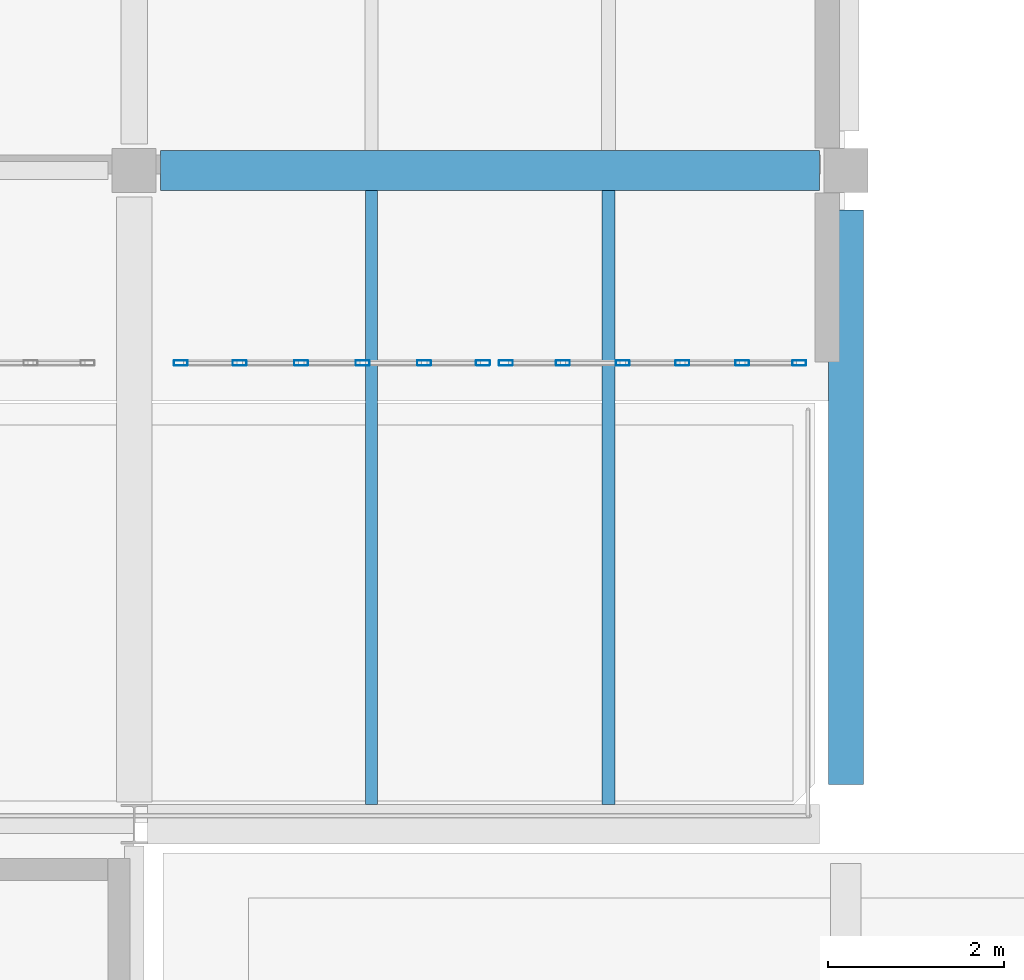
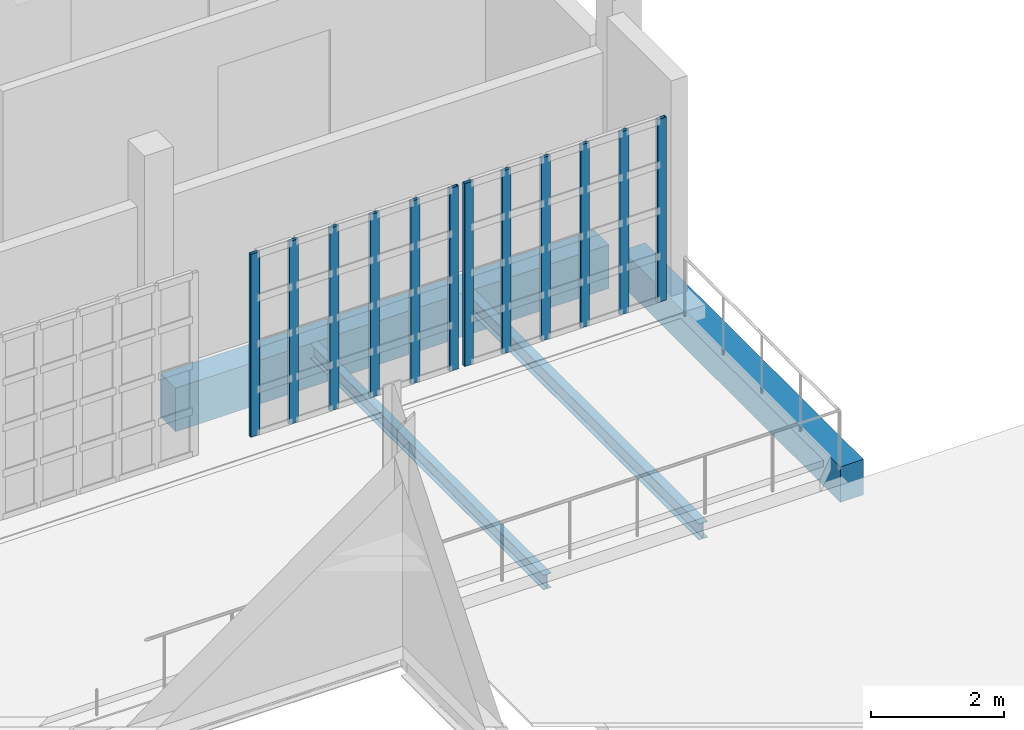
# One storey, part 9 of 25: 12 members, 4 beams, 2 elements without a shape of their own.
"""IFC4 building model written with IfcOpenShell, lengths in metres."""

from ifc_helpers import new_model, si_unit, direction, frame, origin, origin_2d, place, context, subcontext, project, spatial, rectangle, hollow_rectangle, i_section, extrude, material, material_profile, profile_set, type_object, element, aggregate, save


model = new_model("IFC4")

# Units and contexts
model_context = context("Model", 3, precision=1e-05, world=origin(), true_north=direction((0.0, 1.0)))
body_context = subcontext(model_context, "Body", "Model", "MODEL_VIEW")
ifc_project = project(units=[si_unit("LENGTHUNIT", "METRE"), si_unit("AREAUNIT", "SQUARE_METRE"), si_unit("VOLUMEUNIT", "CUBIC_METRE"), si_unit("PLANEANGLEUNIT", "RADIAN"), si_unit("MASSUNIT", "GRAM", prefix="KILO")], contexts=[model_context])

# Site, building, storey
site_placement = place(None, origin())
site = spatial("IfcSite", under=ifc_project, at=site_placement, CompositionType="ELEMENT")
building_placement = place(site_placement, origin())
building = spatial("IfcBuilding", under=site, at=building_placement, Name="Kaelora Sail Theatre", CompositionType="ELEMENT")
storey_placement = place(building_placement, frame((0.0, 0.0, 19.199951171875)))
storey = spatial("IfcBuildingStorey", under=building, at=storey_placement, Name="L04", CompositionType="ELEMENT", Elevation=19.199951171875)

# Curtain wall, members
ifc_material_1 = material(Name="Anodised aluminium and solar-control low-E IGU", Category="aluminium")
curtain_wall_type = type_object("IfcCurtainWallType", Name="ARC-CW-CW-CLR", PredefinedType="NOTDEFINED", material=ifc_material_1)
curtain_wall_1_placement = place(storey_placement, origin())
curtain_wall_1 = element("IfcCurtainWall", 1, at=curtain_wall_1_placement, inside=storey, type_object=curtain_wall_type, Name="Glazed Foyer/Conservatory Curtain Wall NW2-S-L04-06", PredefinedType="NOTDEFINED")
ifc_material_2 = material(Name="Anodised aluminium 6063-T6", Category="aluminium")
ifc_material_profile_1 = material_profile(ifc_material_2, hollow_rectangle(XDim=0.06005859375, YDim=0.159912109375, WallThickness=0.00390625, InnerFilletRadius=0.00390625, OuterFilletRadius=0.008056640625, at=origin_2d()), Name="ALU-MULL 60x160x4")
ifc_profile_set_1 = profile_set([ifc_material_profile_1], Name="Anodised aluminium 6063-T6")
member_type = type_object("IfcMemberType", Name="ARC-MEM-ML-160", PredefinedType="MULLION", material=ifc_profile_set_1)
member_1_placement = place(storey_placement, frame((58.72998046875, 88.590087890625, 0.0), z_axis=(0.0, 0.0, 1.0), x_axis=(0.0, 1.0, 0.0)))
member_1 = element("IfcMember", 2, at=member_1_placement, type_object=member_type, Name="CW-CLR mullion 1", PredefinedType="MULLION", context=body_context, shape_type="SweptSolid", body=[
    extrude(hollow_rectangle(XDim=0.06005859375, YDim=0.159912109375, WallThickness=0.00390625, InnerFilletRadius=0.00390625, OuterFilletRadius=0.008056640625, at=origin_2d()), origin(), (0.0, 0.0, 1.0), 3.34716796875),
])
member_2_placement = place(storey_placement, frame((59.39990234375, 88.590087890625, 0.0), z_axis=(0.0, 0.0, 1.0), x_axis=(0.0, 1.0, 0.0)))
member_2 = element("IfcMember", 3, at=member_2_placement, type_object=member_type, Name="CW-CLR mullion 2", PredefinedType="MULLION", context=body_context, shape_type="SweptSolid", body=[
    extrude(hollow_rectangle(XDim=0.06005859375, YDim=0.159912109375, WallThickness=0.00390625, InnerFilletRadius=0.00390625, OuterFilletRadius=0.008056640625, at=origin_2d()), origin(), (0.0, 0.0, 1.0), 3.34716796875),
])
member_3_placement = place(storey_placement, frame((60.10009765625, 88.590087890625, 0.0), z_axis=(0.0, 0.0, 1.0), x_axis=(0.0, 1.0, 0.0)))
member_3 = element("IfcMember", 4, at=member_3_placement, type_object=member_type, Name="CW-CLR mullion 3", PredefinedType="MULLION", context=body_context, shape_type="SweptSolid", body=[
    extrude(hollow_rectangle(XDim=0.06005859375, YDim=0.159912109375, WallThickness=0.00390625, InnerFilletRadius=0.00390625, OuterFilletRadius=0.008056640625, at=origin_2d()), origin(), (0.0, 0.0, 1.0), 3.34716796875),
])
member_4_placement = place(storey_placement, frame((60.800048828125, 88.590087890625, 0.0), z_axis=(0.0, 0.0, 1.0), x_axis=(0.0, 1.0, 0.0)))
member_4 = element("IfcMember", 5, at=member_4_placement, type_object=member_type, Name="CW-CLR mullion 4", PredefinedType="MULLION", context=body_context, shape_type="SweptSolid", body=[
    extrude(hollow_rectangle(XDim=0.06005859375, YDim=0.159912109375, WallThickness=0.00390625, InnerFilletRadius=0.00390625, OuterFilletRadius=0.008056640625, at=origin_2d()), origin(), (0.0, 0.0, 1.0), 3.34716796875),
])
member_5_placement = place(storey_placement, frame((61.5, 88.590087890625, 0.0), z_axis=(0.0, 0.0, 1.0), x_axis=(0.0, 1.0, 0.0)))
member_5 = element("IfcMember", 6, at=member_5_placement, type_object=member_type, Name="CW-CLR mullion 5", PredefinedType="MULLION", context=body_context, shape_type="SweptSolid", body=[
    extrude(hollow_rectangle(XDim=0.06005859375, YDim=0.159912109375, WallThickness=0.00390625, InnerFilletRadius=0.00390625, OuterFilletRadius=0.008056640625, at=origin_2d()), origin(), (0.0, 0.0, 1.0), 3.34716796875),
])
member_6_placement = place(storey_placement, frame((62.169921875, 88.590087890625, 0.0), z_axis=(0.0, 0.0, 1.0), x_axis=(0.0, 1.0, 0.0)))
member_6 = element("IfcMember", 7, at=member_6_placement, type_object=member_type, Name="CW-CLR mullion 6", PredefinedType="MULLION", context=body_context, shape_type="SweptSolid", body=[
    extrude(hollow_rectangle(XDim=0.06005859375, YDim=0.159912109375, WallThickness=0.00390625, InnerFilletRadius=0.00390625, OuterFilletRadius=0.008056640625, at=origin_2d()), origin(), (0.0, 0.0, 1.0), 3.34716796875),
])
aggregate(curtain_wall_1, [member_1, member_2, member_3, member_4, member_5, member_6])

curtain_wall_2_placement = place(storey_placement, origin())
curtain_wall_2 = element("IfcCurtainWall", 8, at=curtain_wall_2_placement, inside=storey, type_object=curtain_wall_type, Name="Glazed Foyer/Conservatory Curtain Wall NW2-S-L04-07", PredefinedType="NOTDEFINED")
member_7_placement = place(storey_placement, frame((62.429931640625, 88.590087890625, 0.0), z_axis=(0.0, 0.0, 1.0), x_axis=(0.0, 1.0, 0.0)))
member_7 = element("IfcMember", 9, at=member_7_placement, type_object=member_type, Name="CW-CLR mullion 1", PredefinedType="MULLION", context=body_context, shape_type="SweptSolid", body=[
    extrude(hollow_rectangle(XDim=0.06005859375, YDim=0.159912109375, WallThickness=0.00390625, InnerFilletRadius=0.00390625, OuterFilletRadius=0.008056640625, at=origin_2d()), origin(), (0.0, 0.0, 1.0), 3.34716796875),
])
member_8_placement = place(storey_placement, frame((63.080078125, 88.590087890625, 0.0), z_axis=(0.0, 0.0, 1.0), x_axis=(0.0, 1.0, 0.0)))
member_8 = element("IfcMember", 10, at=member_8_placement, type_object=member_type, Name="CW-CLR mullion 2", PredefinedType="MULLION", context=body_context, shape_type="SweptSolid", body=[
    extrude(hollow_rectangle(XDim=0.06005859375, YDim=0.159912109375, WallThickness=0.00390625, InnerFilletRadius=0.00390625, OuterFilletRadius=0.008056640625, at=origin_2d()), origin(), (0.0, 0.0, 1.0), 3.34716796875),
])
member_9_placement = place(storey_placement, frame((63.760009765625, 88.590087890625, 0.0), z_axis=(0.0, 0.0, 1.0), x_axis=(0.0, 1.0, 0.0)))
member_9 = element("IfcMember", 11, at=member_9_placement, type_object=member_type, Name="CW-CLR mullion 3", PredefinedType="MULLION", context=body_context, shape_type="SweptSolid", body=[
    extrude(hollow_rectangle(XDim=0.06005859375, YDim=0.159912109375, WallThickness=0.00390625, InnerFilletRadius=0.00390625, OuterFilletRadius=0.008056640625, at=origin_2d()), origin(), (0.0, 0.0, 1.0), 3.34716796875),
])
member_10_placement = place(storey_placement, frame((64.43994140625, 88.590087890625, 0.0), z_axis=(0.0, 0.0, 1.0), x_axis=(0.0, 1.0, 0.0)))
member_10 = element("IfcMember", 12, at=member_10_placement, type_object=member_type, Name="CW-CLR mullion 4", PredefinedType="MULLION", context=body_context, shape_type="SweptSolid", body=[
    extrude(hollow_rectangle(XDim=0.06005859375, YDim=0.159912109375, WallThickness=0.00390625, InnerFilletRadius=0.00390625, OuterFilletRadius=0.008056640625, at=origin_2d()), origin(), (0.0, 0.0, 1.0), 3.34716796875),
])
member_11_placement = place(storey_placement, frame((65.1201171875, 88.590087890625, 0.0), z_axis=(0.0, 0.0, 1.0), x_axis=(0.0, 1.0, 0.0)))
member_11 = element("IfcMember", 13, at=member_11_placement, type_object=member_type, Name="CW-CLR mullion 5", PredefinedType="MULLION", context=body_context, shape_type="SweptSolid", body=[
    extrude(hollow_rectangle(XDim=0.06005859375, YDim=0.159912109375, WallThickness=0.00390625, InnerFilletRadius=0.00390625, OuterFilletRadius=0.008056640625, at=origin_2d()), origin(), (0.0, 0.0, 1.0), 3.34716796875),
])
member_12_placement = place(storey_placement, frame((65.77001953125, 88.590087890625, 0.0), z_axis=(0.0, 0.0, 1.0), x_axis=(0.0, 1.0, 0.0)))
member_12 = element("IfcMember", 14, at=member_12_placement, type_object=member_type, Name="CW-CLR mullion 6", PredefinedType="MULLION", context=body_context, shape_type="SweptSolid", body=[
    extrude(hollow_rectangle(XDim=0.06005859375, YDim=0.159912109375, WallThickness=0.00390625, InnerFilletRadius=0.00390625, OuterFilletRadius=0.008056640625, at=origin_2d()), origin(), (0.0, 0.0, 1.0), 3.34716796875),
])
aggregate(curtain_wall_2, [member_7, member_8, member_9, member_10, member_11, member_12])

# Beams
ifc_material_3 = material(Name="Concrete C40/50", Category="concrete")
ifc_material_profile_2 = material_profile(ifc_material_3, rectangle(XDim=0.39990234375, YDim=0.64990234375, at=origin_2d()), Name="RC-BM 400x650")
ifc_profile_set_2 = profile_set([ifc_material_profile_2], Name="Concrete C40/50")
beam_type_1 = type_object("IfcBeamType", Name="STR-BM-BM-RC4065", PredefinedType="BEAM", material=ifc_profile_set_2)
beam_1_placement = place(storey_placement, frame((66.300048828125, 83.7900390625, -0.579833984375), z_axis=(0.0, 1.0, 0.0), x_axis=(-1.0, 0.0, 0.0)))
element("IfcBeam", 15, at=beam_1_placement, inside=storey, type_object=beam_type_1, Name="Primary beam 9 L-M (L04)", PredefinedType="BEAM", context=body_context, shape_type="SweptSolid", body=[
    extrude(rectangle(XDim=0.39990234375, YDim=0.64990234375, at=origin_2d()), origin(), (0.0, 0.0, 1.0), 6.5400390625),
])
ifc_material_4 = material(Name="Concrete C45/55", Category="concrete")
ifc_material_profile_3 = material_profile(ifc_material_4, rectangle(XDim=0.449951171875, YDim=0.800048828125, at=origin_2d()), Name="RC-BM 450x800")
ifc_profile_set_3 = profile_set([ifc_material_profile_3], Name="Concrete C45/55")
beam_type_2 = type_object("IfcBeamType", Name="STR-BM-BM-RC4580", PredefinedType="BEAM", material=ifc_profile_set_3)
beam_2_placement = place(storey_placement, frame((58.5, 90.780029296875, -0.655029296875), z_axis=(1.0, 0.0, 0.0), x_axis=(0.0, 1.0, 0.0)))
element("IfcBeam", 16, at=beam_2_placement, inside=storey, type_object=beam_type_2, Name="Primary beam M 8-9 (L04)", PredefinedType="BEAM", context=body_context, shape_type="SweptSolid", body=[
    extrude(rectangle(XDim=0.449951171875, YDim=0.800048828125, at=origin_2d()), origin(), (0.0, 0.0, 1.0), 7.5),
])
ifc_material_5 = material(Name="Steel S355", Category="steel")
ifc_material_profile_4 = material_profile(ifc_material_5, i_section(OverallWidth=0.135009765625, OverallDepth=0.27001953125, WebThickness=0.006591796875, FlangeThickness=0.01025390625, FilletRadius=0.014892578125, at=origin_2d()), Name="IPE 270")
ifc_profile_set_4 = profile_set([ifc_material_profile_4], Name="Steel S355")
beam_type_3 = type_object("IfcBeamType", Name="STR-BM-JS-IPE270", PredefinedType="JOIST", material=ifc_profile_set_4)
beam_3_placement = place(storey_placement, frame((60.89990234375, 83.56494140625, -0.389892578125), z_axis=(0.0, 1.0, 0.0), x_axis=(-1.0, 0.0, 0.0)))
element("IfcBeam", 17, at=beam_3_placement, inside=storey, type_object=beam_type_3, Name="Secondary floor joist 8/L-1 (L04)", PredefinedType="JOIST", context=body_context, shape_type="SweptSolid", body=[
    extrude(i_section(OverallWidth=0.135009765625, OverallDepth=0.27001953125, WebThickness=0.006591796875, FlangeThickness=0.01025390625, FilletRadius=0.014892578125, at=origin_2d()), origin(), (0.0, 0.0, 1.0), 6.989990234375),
])
ifc_material_6 = material(Name="Steel S355", Category="steel")
ifc_material_profile_5 = material_profile(ifc_material_6, i_section(OverallWidth=0.14990234375, OverallDepth=0.300048828125, WebThickness=0.007080078125, FlangeThickness=0.0107421875, FilletRadius=0.014892578125, at=origin_2d()), Name="IPE 300")
ifc_profile_set_5 = profile_set([ifc_material_profile_5], Name="Steel S355")
beam_type_4 = type_object("IfcBeamType", Name="STR-BM-JS-IPE300", PredefinedType="JOIST", material=ifc_profile_set_5)
beam_4_placement = place(storey_placement, frame((63.60009765625, 83.56494140625, -0.405029296875), z_axis=(0.0, 1.0, 0.0), x_axis=(-1.0, 0.0, 0.0)))
element("IfcBeam", 18, at=beam_4_placement, inside=storey, type_object=beam_type_4, Name="Secondary floor joist 8/L-2 (L04)", PredefinedType="JOIST", context=body_context, shape_type="SweptSolid", body=[
    extrude(i_section(OverallWidth=0.14990234375, OverallDepth=0.300048828125, WebThickness=0.007080078125, FlangeThickness=0.0107421875, FilletRadius=0.014892578125, at=origin_2d()), origin(), (0.0, 0.0, 1.0), 6.989990234375),
])

save(model, "model.ifc")
